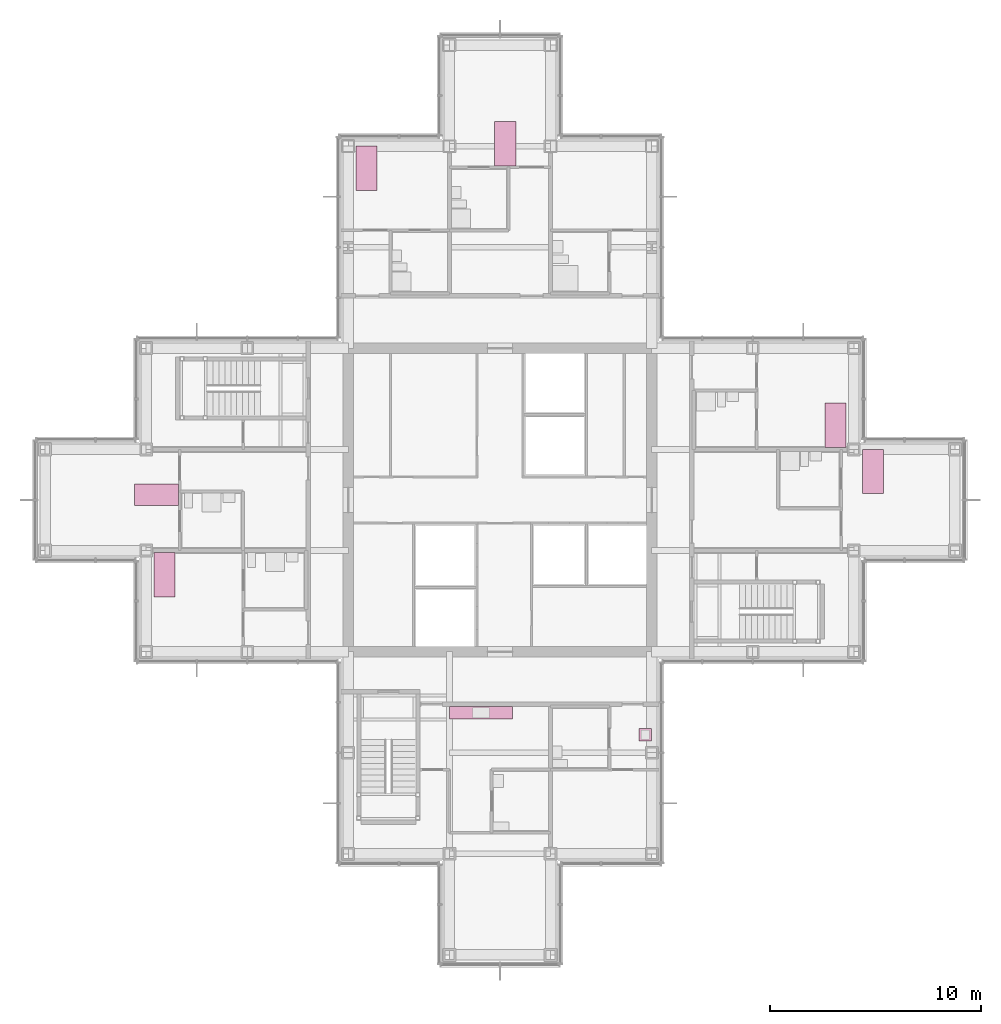
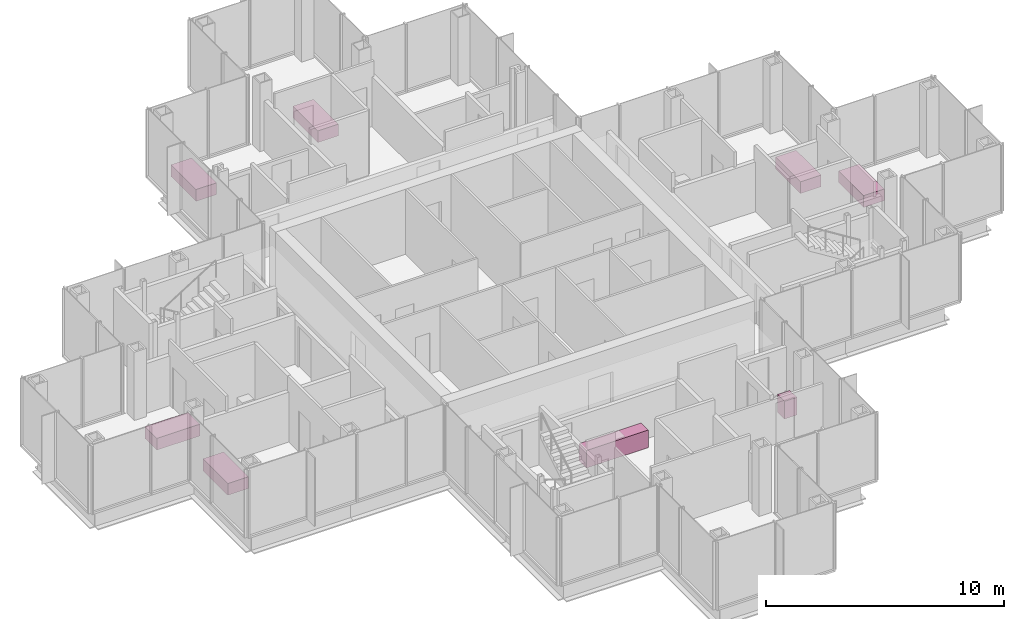
# One storey, part 17 of 17: 8 furniture elements.
"""IFC4 building model written with IfcOpenShell, lengths in metres."""

import ifcopenshell
import ifcopenshell.guid

model = None  # the IFC model being written
_history = None  # IfcOwnerHistory: only IFC2X3 demands one
_inside = {}  # id of a spatial element -> (the spatial element, [elements in it])
_under = {}  # id of a project, library or spatial element -> (it, [spatial elements below it])
_declared = {}  # id of a project -> (the project, [libraries it declares])
_typed = {}  # id of a type object -> (the type object, [elements of that type])
_made_of = {}  # id of a material, layer set ... -> (it, [elements and type objects made of it])


def new_model(schema):
    """Start an empty IFC model of exactly this schema.

    Asked for "IFC4X3", IfcOpenShell would pick the latest addendum, in which some entities
    have other attributes; the version numbers below select the first issue.
    IFC2X3 requires an IfcOwnerHistory on every rooted entity: one is made here for all.
    """
    global model, _history
    if schema == "IFC4X3":
        model = ifcopenshell.file(schema_version=(4, 3, 0, 0))
    else:
        model = ifcopenshell.file(schema=schema)
    _inside.clear()
    _under.clear()
    _declared.clear()
    _typed.clear()
    _made_of.clear()
    _history = None
    if model.schema == "IFC2X3":
        org = make("IfcOrganization", Name="unknown")
        user = make(
            "IfcPersonAndOrganization",
            ThePerson=make("IfcPerson", FamilyName="unknown"),
            TheOrganization=org,
        )
        app = make(
            "IfcApplication",
            ApplicationDeveloper=org,
            Version="unknown",
            ApplicationFullName="unknown",
            ApplicationIdentifier="unknown",
        )
        _history = make(
            "IfcOwnerHistory",
            OwningUser=user,
            OwningApplication=app,
            ChangeAction="ADDED",
            CreationDate=0,
        )
    return model


def make(cls, **values):
    """One entity of the class cls with the attributes given. An attribute that is None is left unset."""
    return model.create_entity(
        cls, **{name: value for name, value in values.items() if value is not None}
    )


def rooted(cls, **values):
    """An entity with a GlobalId (a new one), such as an element, a storey or a relation."""
    return make(cls, GlobalId=ifcopenshell.guid.new(), OwnerHistory=_history, **values)


def si_unit(unit_type, name, prefix=None):
    """IfcSIUnit, for example si_unit("LENGTHUNIT", "METRE", prefix="MILLI")."""
    return make("IfcSIUnit", UnitType=unit_type, Prefix=prefix, Name=name)


def assignment(units):
    """IfcUnitAssignment: the units of a project."""
    return None if units is None else make("IfcUnitAssignment", Units=units)


def point(xyz):
    """IfcCartesianPoint."""
    return None if xyz is None else make("IfcCartesianPoint", Coordinates=xyz)


def direction(xyz):
    """IfcDirection."""
    return None if xyz is None else make("IfcDirection", DirectionRatios=xyz)


def frame(location, z_axis=None, x_axis=None):
    """IfcAxis2Placement3D, a coordinate frame: its origin and axes. An axis left out is left unset."""
    return make(
        "IfcAxis2Placement3D",
        Location=point(location),
        Axis=direction(z_axis),
        RefDirection=direction(x_axis),
    )


def frame_2d(location, x_axis=None):
    """IfcAxis2Placement2D, a coordinate frame in the plane: its origin and x axis."""
    return make(
        "IfcAxis2Placement2D", Location=point(location), RefDirection=direction(x_axis)
    )


def origin():
    """The frame at (0, 0, 0) with its axes left unset."""
    return frame((0.0, 0.0, 0.0))


def origin_2d():
    """The frame at (0, 0) in the plane with its x axis left unset."""
    return frame_2d((0.0, 0.0))


def place(relative_to, where):
    """IfcLocalPlacement: puts the frame where relative to a parent placement (None: the world)."""
    return make(
        "IfcLocalPlacement", PlacementRelTo=relative_to, RelativePlacement=where
    )


def context(
    kind, dimensions, precision=None, world=None, true_north=None, identifier=None
):
    """IfcGeometricRepresentationContext, for example the 3D "Model" context."""
    return make(
        "IfcGeometricRepresentationContext",
        ContextIdentifier=identifier,
        ContextType=kind,
        CoordinateSpaceDimension=dimensions,
        Precision=precision,
        WorldCoordinateSystem=world,
        TrueNorth=true_north,
    )


def subcontext(parent, identifier, kind, view, scale=None):
    """IfcGeometricRepresentationSubContext, for example "Body" below "Model"."""
    return make(
        "IfcGeometricRepresentationSubContext",
        ContextIdentifier=identifier,
        ContextType=kind,
        ParentContext=parent,
        TargetScale=scale,
        TargetView=view,
    )


def project(units=None, contexts=None):
    """IfcProject with its units and contexts."""
    return rooted(
        "IfcProject",
        Name="project",
        RepresentationContexts=contexts,
        UnitsInContext=assignment(units),
    )


def spatial(cls, under=None, at=None, **own):
    """A site, building, storey or space (cls), placed at a placement, below another one or the project."""
    s = rooted(cls, ObjectPlacement=at, **own)
    if under is not None:
        _under.setdefault(under.id(), (under, []))[1].append(s)
    return s


def profile(cls, at=None, kind="AREA", **sizes):
    """A parametric profile (cls). Its sizes go by their IFC names, for example OverallWidth=200.0."""
    return make(cls, ProfileType=kind, Position=at, **sizes)


def rectangle(**sizes):
    """IfcRectangleProfileDef."""
    return profile("IfcRectangleProfileDef", **sizes)


def extrude(swept, where, along, depth):
    """IfcExtrudedAreaSolid: the profile swept, set in the frame where, extruded along a direction by depth."""
    return make(
        "IfcExtrudedAreaSolid",
        SweptArea=swept,
        Position=where,
        ExtrudedDirection=direction(along),
        Depth=depth,
    )


def shape(context_of_items, identifier, shape_type, items):
    """IfcShapeRepresentation: the items that make up one representation, for example the "Body"."""
    return make(
        "IfcShapeRepresentation",
        ContextOfItems=context_of_items,
        RepresentationIdentifier=identifier,
        RepresentationType=shape_type,
        Items=items,
    )


def material(Name=None, Category=None):
    """IfcMaterial."""
    return make("IfcMaterial", Name=Name, Category=Category)


def made_of(thing, what):
    """Note that an element or type object is made of a material, layer set ...; save() writes the relation."""
    if what is not None:
        _made_of.setdefault(what.id(), (what, []))[1].append(thing)
    return thing


def type_object(cls, material=None, **own):
    """A type object (cls), such as IfcWallType, which elements share."""
    return made_of(rooted(cls, **own), material)


def element(
    cls,
    number,
    at=None,
    inside=None,
    cuts=None,
    type_object=None,
    material=None,
    context=None,
    identifier="Body",
    shape_type=None,
    held_by="IfcProductDefinitionShape",
    body=None,
    shapes=None,
    **own,
):
    """One element of the class cls, such as IfcWall. Its Tag is "e" and its number.

    at: its placement. inside: the storey or other place that contains it. cuts: it is an
    opening in that element (IfcRelVoidsElement). A single representation is given by context,
    identifier, shape_type and body (its items); several are given by shapes. held_by: the class
    of the entity that holds the representations. save() writes the other relations.
    """
    e = rooted(cls, Tag="e%d" % number, ObjectPlacement=at, **own)
    if body is not None:
        shapes = [shape(context, identifier, shape_type, body)]
    if shapes is not None:
        e.Representation = make(held_by, Representations=shapes)
    if inside is not None:
        _inside.setdefault(inside.id(), (inside, []))[1].append(e)
    if cuts is not None:
        rooted(
            "IfcRelVoidsElement", RelatingBuildingElement=cuts, RelatedOpeningElement=e
        )
    if type_object is not None:
        _typed.setdefault(type_object.id(), (type_object, []))[1].append(e)
    return made_of(e, material)


def aggregate(whole, parts):
    """IfcRelAggregates: a whole, such as a stair, and the parts it consists of."""
    return rooted("IfcRelAggregates", RelatingObject=whole, RelatedObjects=parts)


def save(model, path):
    """Write the relations noted so far, then the file.

    IfcRelAggregates (storeys below a building ...), IfcRelContainedInSpatialStructure (elements
    in a storey), IfcRelDefinesByType, IfcRelAssociatesMaterial and IfcRelDeclares: one each for
    every whole, place, type object, material and project.
    """
    for whole, parts in _under.values():
        aggregate(whole, parts)
    for where, things in _inside.values():
        rooted(
            "IfcRelContainedInSpatialStructure",
            RelatedElements=things,
            RelatingStructure=where,
        )
    for kind, things in _typed.values():
        rooted("IfcRelDefinesByType", RelatedObjects=things, RelatingType=kind)
    for what, things in _made_of.values():
        rooted("IfcRelAssociatesMaterial", RelatedObjects=things, RelatingMaterial=what)
    for by, libraries in _declared.values():
        rooted("IfcRelDeclares", RelatingContext=by, RelatedDefinitions=libraries)
    model.write(path)


model = new_model("IFC4")

# Units and contexts
model_context = context("Model", 3, precision=1e-05, world=origin(), true_north=direction((0.0, 1.0)))
body_context = subcontext(model_context, "Body", "Model", "MODEL_VIEW")
ifc_project = project(units=[si_unit("LENGTHUNIT", "METRE"), si_unit("AREAUNIT", "SQUARE_METRE"), si_unit("VOLUMEUNIT", "CUBIC_METRE"), si_unit("PLANEANGLEUNIT", "RADIAN"), si_unit("MASSUNIT", "GRAM", prefix="KILO")], contexts=[model_context])

# Site, building, storey
site_placement = place(None, origin())
site = spatial("IfcSite", under=ifc_project, at=site_placement, CompositionType="ELEMENT")
building_placement = place(site_placement, origin())
building = spatial("IfcBuilding", under=site, at=building_placement, Name="Kvirike Care Tower", CompositionType="ELEMENT")
storey_placement = place(building_placement, frame((0.0, 0.0, 144.5)))
storey = spatial("IfcBuildingStorey", under=building, at=storey_placement, Name="L39", CompositionType="ELEMENT", Elevation=144.5)

# Furniture
ifc_material_1 = material(Name="Steel frame", Category="steel")
furniture_type_1 = type_object("IfcFurnitureType", Name="CARE BED 1000 x 2100", AssemblyPlace="FACTORY", PredefinedType="BED", material=ifc_material_1)
for number, where, z_axis, x_axis, name in (
    (1, (5.2880859375, 36.25, 0.0), (0.0, 0.0, 1.0), (0.0, -1.0, 0.0), "Care bed L39-005"),
    (2, (5.669921875, 32.447998046875, 0.0), (0.0, 0.0, 1.0), (1.0, 0.0, 0.0), "Care bed L39-008"),
    (3, (21.85009765625, 52.912109375, 0.0), (0.0, 0.0, 1.0), (-1.0, 0.0, 0.0), "Care bed L39-023"),
    (4, (15.27001953125, 51.748046875, 0.0), (0.0, 0.0, 1.0), (1.0, 0.0, 0.0), "Care bed L39-026"),
    (5, (39.320068359375, 37.347900390625, 0.0), (0.0, 0.0, 1.0), (1.0, 0.0, 0.0), "Care bed L39-033"),
    (6, (37.530029296875, 39.552001953125, 0.0), (0.0, 0.0, 1.0), (-1.0, 0.0, 0.0), "Care bed L39-036"),
):
    element("IfcFurniture", number, at=place(storey_placement, frame(where, z_axis=z_axis, x_axis=x_axis)), inside=storey, type_object=furniture_type_1, Name=name, PredefinedType="BED", context=body_context, shape_type="SweptSolid", body=[
        extrude(rectangle(XDim=1.0, YDim=2.10009765625, at=origin_2d()), origin(), (0.0, 0.0, 1.0), 0.60009765625),
    ])
ifc_material_2 = material(Name="Laminated board", Category="wood")
furniture_type_2 = type_object("IfcFurnitureType", Name="KITCHEN UNIT RUN 600", AssemblyPlace="FACTORY", PredefinedType="USERDEFINED", material=ifc_material_2)
furniture_1_placement = place(storey_placement, frame((20.699951171875, 25.89794921875, 0.0), z_axis=(0.0, 0.0, 1.0), x_axis=(1.0, 0.0, 0.0)))
element("IfcFurniture", 7, at=furniture_1_placement, inside=storey, type_object=furniture_type_2, Name="Kitchen unit run L39-015", ObjectType="KITCHEN UNIT", PredefinedType="USERDEFINED", context=body_context, shape_type="SweptSolid", body=[
    extrude(rectangle(XDim=3.0, YDim=0.60009765625, at=origin_2d()), origin(), (0.0, 0.0, 1.0), 0.89990234375),
])
furniture_2_placement = place(storey_placement, frame((28.498046875, 24.85009765625, 0.0), z_axis=(0.0, 0.0, 1.0), x_axis=(0.0, -1.0, 0.0)))
element("IfcFurniture", 8, at=furniture_2_placement, inside=storey, type_object=furniture_type_2, Name="Kitchen unit run L39-018", ObjectType="KITCHEN UNIT", PredefinedType="USERDEFINED", context=body_context, shape_type="SweptSolid", body=[
    extrude(rectangle(XDim=0.60009765625, YDim=0.60009765625, at=origin_2d()), origin(), (0.0, 0.0, 1.0), 0.89990234375),
])

save(model, "model.ifc")
